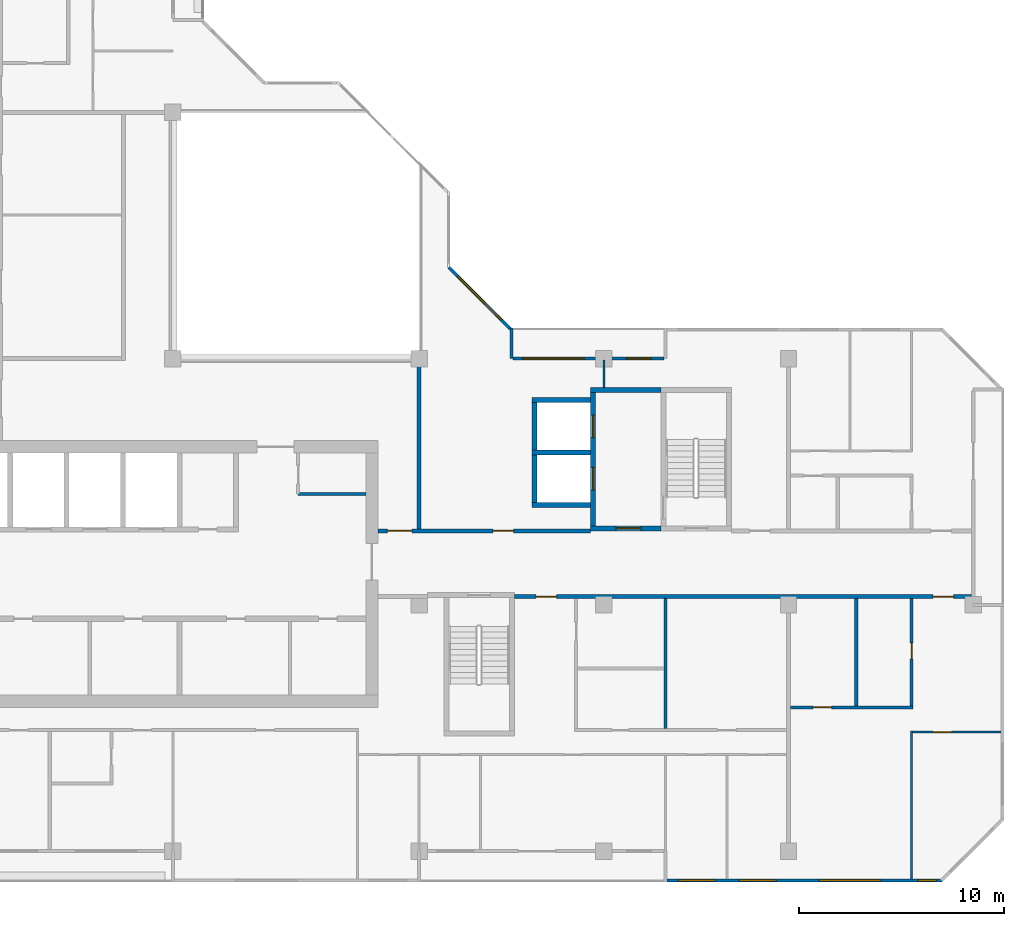
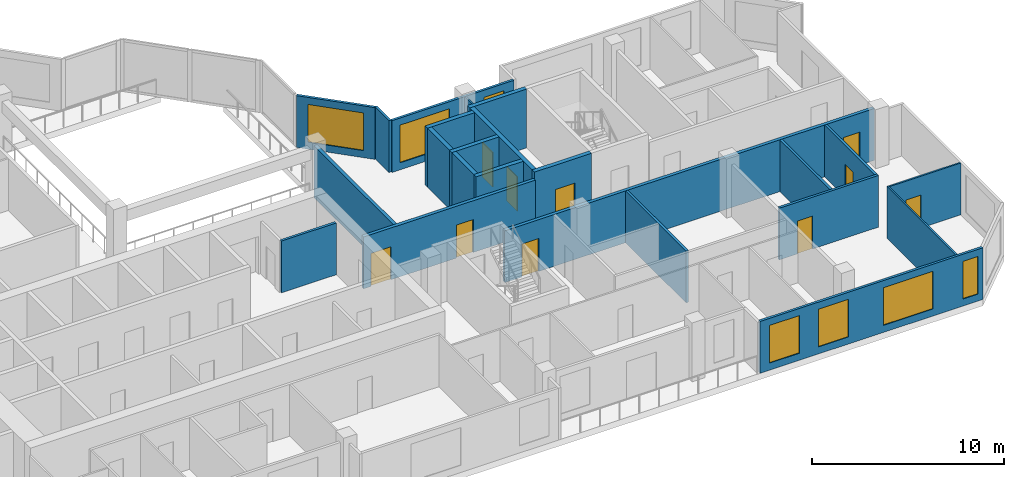
# One storey, part 7 of 13: 23 walls, 10 doors, 7 windows, 17 openings.
"""IFC4 building model written with IfcOpenShell, lengths in metres."""

from ifc_helpers import new_model, si_unit, direction, frame, frame_2d, origin, place, context, subcontext, project, spatial, rectangle, extrude, material, layer, layer_set, type_object, element, fill, save


model = new_model("IFC4")

# Units and contexts
model_context = context("Model", 3, precision=1e-05, world=origin(), true_north=direction((0.0, 1.0)))
body_context = subcontext(model_context, "Body", "Model", "MODEL_VIEW")
ifc_project = project(units=[si_unit("LENGTHUNIT", "METRE"), si_unit("AREAUNIT", "SQUARE_METRE"), si_unit("VOLUMEUNIT", "CUBIC_METRE"), si_unit("PLANEANGLEUNIT", "RADIAN"), si_unit("MASSUNIT", "GRAM", prefix="KILO")], contexts=[model_context])

# Site, building, storey
site_placement = place(None, origin())
site = spatial("IfcSite", under=ifc_project, at=site_placement, CompositionType="ELEMENT")
building_placement = place(site_placement, origin())
building = spatial("IfcBuilding", under=site, at=building_placement, Name="Chenar Terraces", CompositionType="ELEMENT")
storey_placement = place(building_placement, frame((0.0, 0.0, 318.39990234375)))
storey = spatial("IfcBuildingStorey", under=building, at=storey_placement, Name="L75", CompositionType="ELEMENT", Elevation=318.39990234375)

# Wall
ifc_material_1 = material(Name="Gypsum board on steel studs", Category="steel")
ifc_layer_1 = layer(ifc_material_1, 0.14990234375)
ifc_layer_set_1 = layer_set([ifc_layer_1], Name="Gypsum board on steel studs")
wall_type_1 = type_object("IfcWallType", Name="Core partition 150 gypsum board", PredefinedType="PARTITIONING", material=ifc_layer_set_1)
wall_1_placement = place(storey_placement, frame((30.10009765625, 17.39990234375, 0.0), z_axis=(0.0, 0.0, 1.0), x_axis=(1.0, 0.0, 0.0)))
element("IfcWall", 1, at=wall_1_placement, inside=storey, type_object=wall_type_1, Name="Core partition CP1 vestibule room south wall", PredefinedType="PARTITIONING", context=body_context, shape_type="SweptSolid", body=[
    extrude(rectangle(XDim=3.2998046875, YDim=0.14990234375, at=frame_2d((1.64990234375, 0.0))), origin(), (0.0, 0.0, 1.0), 3.300048828125),
])

# Wall, opening, door
ifc_material_2 = material(Name="Concrete C50/60", Category="concrete")
ifc_layer_2 = layer(ifc_material_2, 0.25)
ifc_layer_set_2 = layer_set([ifc_layer_2], Name="Concrete C50/60")
wall_type_2 = type_object("IfcWallType", Name="Core wall 250 Concrete C50/60", PredefinedType="SHEAR", material=ifc_layer_set_2)
wall_2_placement = place(storey_placement, frame((44.35009765625, 15.72509765625, 0.0), z_axis=(0.0, 0.0, 1.0), x_axis=(1.0, 0.0, 0.0)))
wall_2 = element("IfcWall", 2, at=wall_2_placement, inside=storey, type_object=wall_type_2, Name="Core wall F3_LS L75", PredefinedType="SHEAR", context=body_context, shape_type="SweptSolid", body=[
    extrude(rectangle(XDim=3.4248046875, YDim=0.25, at=frame_2d((1.71240234375, 0.0))), origin(), (0.0, 0.0, 1.0), 3.75),
])
opening_1_placement = place(wall_2_placement, frame((1.25, 0.0, 0.0)))
opening_1 = element("IfcOpeningElement", 3, at=opening_1_placement, cuts=wall_2, Name="Opening DL75-C10", PredefinedType="OPENING", context=body_context, shape_type="SweptSolid", body=[
    extrude(rectangle(XDim=1.199951171875, YDim=2.199951171875, at=frame_2d((0.60009765625, 1.10009765625))), frame((0.0, 0.135009765625, 0.0), z_axis=(0.0, -1.0, 0.0), x_axis=(1.0, 0.0, 0.0)), (0.0, 0.0, 1.0), 0.27001953125),
])
ifc_material_3 = material(Name="Steel-framed fire-resisting door leaf", Category="steel")
door_type_1 = type_object("IfcDoorType", Name="Lobby fire door FD60 1200 x 2200", OperationType="SINGLE_SWING_LEFT", PredefinedType="DOOR", material=ifc_material_3)
door_1_placement = place(opening_1_placement, origin())
door_1 = element("IfcDoor", 4, at=door_1_placement, inside=storey, type_object=door_type_1, Name="Core door DL75-C10", OperationType="SINGLE_SWING_RIGHT", OverallHeight=2.199951171875, OverallWidth=1.199951171875, PredefinedType="DOOR", context=body_context, shape_type="SweptSolid", body=[
    extrude(rectangle(XDim=1.199951171875, YDim=2.199951171875, at=frame_2d((0.60009765625, 1.10009765625))), frame((0.0, 0.02490234375, 0.0), z_axis=(0.0, -1.0, 0.0), x_axis=(1.0, 0.0, 0.0)), (0.0, 0.0, 1.0), 0.050048828125),
])
fill(opening_1, door_1)

# Wall
wall_3_placement = place(storey_placement, frame((44.35009765625, 22.47509765625, 0.0), z_axis=(0.0, 0.0, 1.0), x_axis=(1.0, 0.0, 0.0)))
element("IfcWall", 5, at=wall_3_placement, inside=storey, type_object=wall_type_2, Name="Core wall F3_LN L75", PredefinedType="SHEAR", context=body_context, shape_type="SweptSolid", body=[
    extrude(rectangle(XDim=3.4248046875, YDim=0.25, at=frame_2d((1.71240234375, 0.0))), origin(), (0.0, 0.0, 1.0), 3.75),
])

# Wall, openings, doors
wall_4_placement = place(storey_placement, frame((44.47509765625, 15.85009765625, 0.0), z_axis=(0.0, 0.0, 1.0), x_axis=(0.0, 1.0, 0.0)))
wall_4 = element("IfcWall", 6, at=wall_4_placement, inside=storey, type_object=wall_type_2, Name="Core wall F3_LW L75", PredefinedType="SHEAR", context=body_context, shape_type="SweptSolid", body=[
    extrude(rectangle(XDim=6.5, YDim=0.25, at=frame_2d((3.25, 0.0))), origin(), (0.0, 0.0, 1.0), 3.75),
])
opening_2_placement = place(wall_4_placement, frame((1.75, 0.0, 0.0)))
opening_2 = element("IfcOpeningElement", 7, at=opening_2_placement, cuts=wall_4, Name="Opening DL75-LD8", PredefinedType="OPENING", context=body_context, shape_type="SweptSolid", body=[
    extrude(rectangle(XDim=1.10009765625, YDim=2.199951171875, at=frame_2d((0.550048828125, 1.10009765625))), frame((0.0, 0.135009765625, 0.0), z_axis=(0.0, -1.0, 0.0), x_axis=(1.0, 0.0, 0.0)), (0.0, 0.0, 1.0), 0.27001953125),
])
opening_3_placement = place(wall_4_placement, frame((4.300048828125, 0.0, 0.0)))
opening_3 = element("IfcOpeningElement", 8, at=opening_3_placement, cuts=wall_4, Name="Opening DL75-LD9", PredefinedType="OPENING", context=body_context, shape_type="SweptSolid", body=[
    extrude(rectangle(XDim=1.10009765625, YDim=2.199951171875, at=frame_2d((0.550048828125, 1.10009765625))), frame((0.0, 0.135009765625, 0.0), z_axis=(0.0, -1.0, 0.0), x_axis=(1.0, 0.0, 0.0)), (0.0, 0.0, 1.0), 0.27001953125),
])
ifc_material_4 = material(Name="Stainless steel", Category="steel")
door_type_2 = type_object("IfcDoorType", Name="Lift landing door 1100 x 2200 sliding", OperationType="DOUBLE_DOOR_SLIDING", PredefinedType="DOOR", material=ifc_material_4)
door_2_placement = place(opening_2_placement, origin())
door_2 = element("IfcDoor", 9, at=door_2_placement, inside=storey, type_object=door_type_2, Name="Landing door F3", OperationType="DOUBLE_DOOR_SLIDING", OverallHeight=2.199951171875, OverallWidth=1.10009765625, PredefinedType="DOOR", context=body_context, shape_type="SweptSolid", body=[
    extrude(rectangle(XDim=1.10009765625, YDim=2.199951171875, at=frame_2d((0.550048828125, 1.10009765625))), frame((0.0, 0.02490234375, 0.0), z_axis=(0.0, -1.0, 0.0), x_axis=(1.0, 0.0, 0.0)), (0.0, 0.0, 1.0), 0.050048828125),
])
fill(opening_2, door_2)
door_3_placement = place(opening_3_placement, origin())
door_3 = element("IfcDoor", 10, at=door_3_placement, inside=storey, type_object=door_type_2, Name="Landing door F4", OperationType="DOUBLE_DOOR_SLIDING", OverallHeight=2.199951171875, OverallWidth=1.10009765625, PredefinedType="DOOR", context=body_context, shape_type="SweptSolid", body=[
    extrude(rectangle(XDim=1.10009765625, YDim=2.199951171875, at=frame_2d((0.550048828125, 1.10009765625))), frame((0.0, 0.02490234375, 0.0), z_axis=(0.0, -1.0, 0.0), x_axis=(1.0, 0.0, 0.0)), (0.0, 0.0, 1.0), 0.050048828125),
])
fill(opening_3, door_3)

# Walls
for number, where, z_axis, x_axis, name in (
    (11, (41.5, 16.875, 0.0), (0.0, 0.0, 1.0), (1.0, 0.0, 0.0), "Core wall F3_SS L75"),
    (12, (41.5, 19.425048828125, 0.0), (0.0, 0.0, 1.0), (1.0, 0.0, 0.0), "Core wall F3_SM L75"),
    (13, (41.5, 21.97509765625, 0.0), (0.0, 0.0, 1.0), (1.0, 0.0, 0.0), "Core wall F4_SN L75"),
):
    element("IfcWall", number, at=place(storey_placement, frame(where, z_axis=z_axis, x_axis=x_axis)), inside=storey, type_object=wall_type_2, Name=name, PredefinedType="SHEAR", context=body_context, shape_type="SweptSolid", body=[
        extrude(rectangle(XDim=2.85009765625, YDim=0.25, at=frame_2d((1.425048828125, 0.0))), origin(), (0.0, 0.0, 1.0), 3.75),
    ])
for number, where, z_axis, x_axis, name in (
    (14, (41.625, 17.0, 0.0), (0.0, 0.0, 1.0), (0.0, 1.0, 0.0), "Core wall F3_SW L75"),
    (15, (41.625, 19.550048828125, 0.0), (0.0, 0.0, 1.0), (0.0, 1.0, 0.0), "Core wall F4_SW L75"),
):
    element("IfcWall", number, at=place(storey_placement, frame(where, z_axis=z_axis, x_axis=x_axis)), inside=storey, type_object=wall_type_2, Name=name, PredefinedType="SHEAR", context=body_context, shape_type="SweptSolid", body=[
        extrude(rectangle(XDim=2.300048828125, YDim=0.25, at=frame_2d((1.14990234375, 0.0))), origin(), (0.0, 0.0, 1.0), 3.75),
    ])

# Wall, openings, doors
ifc_material_5 = material(Name="Gypsum board on steel studs with fire boards", Category="steel")
ifc_layer_3 = layer(ifc_material_5, 0.199951171875)
ifc_layer_set_3 = layer_set([ifc_layer_3], Name="Gypsum board on steel studs with fire boards")
wall_type_3 = type_object("IfcWallType", Name="Corridor wall 200", PredefinedType="PARTITIONING", material=ifc_layer_set_3)
wall_5_placement = place(storey_placement, frame((34.0, 15.60009765625, 0.0), z_axis=(0.0, 0.0, 1.0), x_axis=(1.0, 0.0, 0.0)))
wall_5 = element("IfcWall", 16, at=wall_5_placement, inside=storey, type_object=wall_type_3, Name="Partition L75-056", PredefinedType="PARTITIONING", context=body_context, shape_type="SweptSolid", body=[
    extrude(rectangle(XDim=10.35009765625, YDim=0.199951171875, at=frame_2d((5.175048828125, 0.0))), origin(), (0.0, 0.0, 1.0), 3.300048828125),
])
opening_4_placement = place(wall_5_placement, frame((5.60009765625, 0.0, 0.0)))
opening_4 = element("IfcOpeningElement", 17, at=opening_4_placement, cuts=wall_5, Name="Opening DL75-3", PredefinedType="OPENING", context=body_context, shape_type="SweptSolid", body=[
    extrude(rectangle(XDim=1.0, YDim=2.10009765625, at=frame_2d((0.5, 1.050048828125))), frame((0.0, 0.10986328125, 0.0), z_axis=(0.0, -1.0, 0.0), x_axis=(1.0, 0.0, 0.0)), (0.0, 0.0, 1.0), 0.219970703125),
])
opening_5_placement = place(wall_5_placement, frame((0.449951171875, 0.0, 0.0)))
opening_5 = element("IfcOpeningElement", 18, at=opening_5_placement, cuts=wall_5, Name="Opening DL75-29", PredefinedType="OPENING", context=body_context, shape_type="SweptSolid", body=[
    extrude(rectangle(XDim=1.199951171875, YDim=2.10009765625, at=frame_2d((0.60009765625, 1.050048828125))), frame((0.0, 0.10986328125, 0.0), z_axis=(0.0, -1.0, 0.0), x_axis=(1.0, 0.0, 0.0)), (0.0, 0.0, 1.0), 0.219970703125),
])
ifc_material_6 = material(Name="Steel-framed fire-resisting door leaf", Category="steel")
door_type_3 = type_object("IfcDoorType", Name="Fire door FD60 1000 x 2100", OperationType="SINGLE_SWING_LEFT", PredefinedType="DOOR", material=ifc_material_6)
door_4_placement = place(opening_4_placement, origin())
door_4 = element("IfcDoor", 19, at=door_4_placement, inside=storey, type_object=door_type_3, Name="Door DL75-3", OperationType="SINGLE_SWING_RIGHT", OverallHeight=2.10009765625, OverallWidth=1.0, PredefinedType="DOOR", context=body_context, shape_type="SweptSolid", body=[
    extrude(rectangle(XDim=1.0, YDim=2.10009765625, at=frame_2d((0.5, 1.050048828125))), frame((0.0, 0.02490234375, 0.0), z_axis=(0.0, -1.0, 0.0), x_axis=(1.0, 0.0, 0.0)), (0.0, 0.0, 1.0), 0.050048828125),
])
fill(opening_4, door_4)
ifc_material_7 = material(Name="Steel-framed fire-resisting door leaf", Category="steel")
door_type_4 = type_object("IfcDoorType", Name="Fire door FD60 1200 x 2100", OperationType="SINGLE_SWING_LEFT", PredefinedType="DOOR", material=ifc_material_7)
door_5_placement = place(opening_5_placement, origin())
door_5 = element("IfcDoor", 20, at=door_5_placement, inside=storey, type_object=door_type_4, Name="Door DL75-29", OperationType="SINGLE_SWING_RIGHT", OverallHeight=2.10009765625, OverallWidth=1.199951171875, PredefinedType="DOOR", context=body_context, shape_type="SweptSolid", body=[
    extrude(rectangle(XDim=1.199951171875, YDim=2.10009765625, at=frame_2d((0.60009765625, 1.050048828125))), frame((0.0, 0.02490234375, 0.0), z_axis=(0.0, -1.0, 0.0), x_axis=(1.0, 0.0, 0.0)), (0.0, 0.0, 1.0), 0.050048828125),
])
fill(opening_5, door_5)

# Wall
wall_6_placement = place(storey_placement, frame((36.0, 15.699951171875, 0.0), z_axis=(0.0, 0.0, 1.0), x_axis=(0.0, 1.0, 0.0)))
element("IfcWall", 21, at=wall_6_placement, inside=storey, type_object=wall_type_3, Name="Partition L75-058", PredefinedType="PARTITIONING", context=body_context, shape_type="SweptSolid", body=[
    extrude(rectangle(XDim=8.300048828125, YDim=0.199951171875, at=frame_2d((4.14990234375, 0.0))), origin(), (0.0, 0.0, 1.0), 3.300048828125),
])

# Wall, openings, doors
wall_7_placement = place(storey_placement, frame((40.64990234375, 12.39990234375, 0.0), z_axis=(0.0, 0.0, 1.0), x_axis=(1.0, 0.0, 0.0)))
wall_7 = element("IfcWall", 22, at=wall_7_placement, inside=storey, type_object=wall_type_3, Name="Partition L75-060", PredefinedType="PARTITIONING", context=body_context, shape_type="SweptSolid", body=[
    extrude(rectangle(XDim=22.276123046875, YDim=0.199951171875, at=frame_2d((11.13818359375, 0.0))), origin(), (0.0, 0.0, 1.0), 3.300048828125),
])
opening_6_placement = place(wall_7_placement, frame((20.39990234375, 0.0, 0.0)))
opening_6 = element("IfcOpeningElement", 23, at=opening_6_placement, cuts=wall_7, Name="Opening DL75-12", PredefinedType="OPENING", context=body_context, shape_type="SweptSolid", body=[
    extrude(rectangle(XDim=1.0, YDim=2.10009765625, at=frame_2d((0.5, 1.050048828125))), frame((0.0, 0.10986328125, 0.0), z_axis=(0.0, -1.0, 0.0), x_axis=(1.0, 0.0, 0.0)), (0.0, 0.0, 1.0), 0.219970703125),
])
opening_7_placement = place(wall_7_placement, frame((1.050048828125, 0.0, 0.0)))
opening_7 = element("IfcOpeningElement", 24, at=opening_7_placement, cuts=wall_7, Name="Opening DL75-45", PredefinedType="OPENING", context=body_context, shape_type="SweptSolid", body=[
    extrude(rectangle(XDim=1.0, YDim=2.10009765625, at=frame_2d((0.5, 1.050048828125))), frame((0.0, 0.10986328125, 0.0), z_axis=(0.0, -1.0, 0.0), x_axis=(1.0, 0.0, 0.0)), (0.0, 0.0, 1.0), 0.219970703125),
])
ifc_material_8 = material(Name="Steel-framed fire-resisting door leaf", Category="steel")
door_type_5 = type_object("IfcDoorType", Name="Fire door FD30S 1000 x 2100", OperationType="SINGLE_SWING_LEFT", PredefinedType="DOOR", material=ifc_material_8)
door_6_placement = place(opening_6_placement, frame((1.0, 0.0, 0.0), z_axis=(0.0, 0.0, 1.0), x_axis=(-1.0, 0.0, 0.0)))
door_6 = element("IfcDoor", 25, at=door_6_placement, inside=storey, type_object=door_type_5, Name="Door DL75-12", OperationType="SINGLE_SWING_LEFT", OverallHeight=2.10009765625, OverallWidth=1.0, PredefinedType="DOOR", context=body_context, shape_type="SweptSolid", body=[
    extrude(rectangle(XDim=1.0, YDim=2.10009765625, at=frame_2d((0.5, 1.050048828125))), frame((0.0, 0.02490234375, 0.0), z_axis=(0.0, -1.0, 0.0), x_axis=(1.0, 0.0, 0.0)), (0.0, 0.0, 1.0), 0.050048828125),
])
fill(opening_6, door_6)
door_7_placement = place(opening_7_placement, origin())
door_7 = element("IfcDoor", 26, at=door_7_placement, inside=storey, type_object=door_type_5, Name="Door DL75-45", OperationType="SINGLE_SWING_LEFT", OverallHeight=2.10009765625, OverallWidth=1.0, PredefinedType="DOOR", context=body_context, shape_type="SweptSolid", body=[
    extrude(rectangle(XDim=1.0, YDim=2.10009765625, at=frame_2d((0.5, 1.050048828125))), frame((0.0, 0.02490234375, 0.0), z_axis=(0.0, -1.0, 0.0), x_axis=(1.0, 0.0, 0.0)), (0.0, 0.0, 1.0), 0.050048828125),
])
fill(opening_7, door_7)

# Wall, openings, windows
ifc_material_9 = material(Name="Aluminium framed glazing", Category="aluminium")
ifc_layer_4 = layer(ifc_material_9, 0.14990234375)
ifc_layer_set_4 = layer_set([ifc_layer_4], Name="Aluminium framed glazing")
wall_type_4 = type_object("IfcWallType", Name="Glazed flush facade wall 150", PredefinedType="SOLIDWALL", material=ifc_layer_set_4)
wall_8_placement = place(storey_placement, frame((48.074951171875, -1.425048828125, 0.0), z_axis=(0.0, 0.0, 1.0), x_axis=(1.0, 0.0, 0.0)))
wall_8 = element("IfcWall", 27, at=wall_8_placement, inside=storey, type_object=wall_type_4, Name="Glazed flush facade wall", PredefinedType="SOLIDWALL", context=body_context, shape_type="SweptSolid", body=[
    extrude(rectangle(XDim=13.425048828125, YDim=0.14990234375, at=frame_2d((6.71240234375, 0.0))), origin(), (0.0, 0.0, 1.0), 3.300048828125),
])
opening_8_placement = place(wall_8_placement, frame((0.5625, 0.0, 0.449951171875)))
opening_8 = element("IfcOpeningElement", 28, at=opening_8_placement, cuts=wall_8, Name="Opening W180x240", PredefinedType="OPENING", context=body_context, shape_type="SweptSolid", body=[
    extrude(rectangle(XDim=1.800048828125, YDim=2.39990234375, at=frame_2d((0.89990234375, 1.199951171875))), frame((0.0, 0.0849609375, 0.0), z_axis=(0.0, -1.0, 0.0), x_axis=(1.0, 0.0, 0.0)), (0.0, 0.0, 1.0), 0.169921875),
])
opening_9_placement = place(wall_8_placement, frame((3.52490234375, 0.0, 0.449951171875)))
opening_9 = element("IfcOpeningElement", 29, at=opening_9_placement, cuts=wall_8, Name="Opening W180x240", PredefinedType="OPENING", context=body_context, shape_type="SweptSolid", body=[
    extrude(rectangle(XDim=1.800048828125, YDim=2.39990234375, at=frame_2d((0.89990234375, 1.199951171875))), frame((0.0, 0.0849609375, 0.0), z_axis=(0.0, -1.0, 0.0), x_axis=(1.0, 0.0, 0.0)), (0.0, 0.0, 1.0), 0.169921875),
])
opening_10_placement = place(wall_8_placement, frame((7.425048828125, 0.0, 0.449951171875)))
opening_10 = element("IfcOpeningElement", 30, at=opening_10_placement, cuts=wall_8, Name="Opening W300x240", PredefinedType="OPENING", context=body_context, shape_type="SweptSolid", body=[
    extrude(rectangle(XDim=3.0, YDim=2.39990234375, at=frame_2d((1.5, 1.199951171875))), frame((0.0, 0.0849609375, 0.0), z_axis=(0.0, -1.0, 0.0), x_axis=(1.0, 0.0, 0.0)), (0.0, 0.0, 1.0), 0.169921875),
])
opening_11_placement = place(wall_8_placement, frame((12.22509765625, 0.0, 0.449951171875)))
opening_11 = element("IfcOpeningElement", 31, at=opening_11_placement, cuts=wall_8, Name="Opening W90x240", PredefinedType="OPENING", context=body_context, shape_type="SweptSolid", body=[
    extrude(rectangle(XDim=0.89990234375, YDim=2.39990234375, at=frame_2d((0.449951171875, 1.199951171875))), frame((0.0, 0.0849609375, 0.0), z_axis=(0.0, -1.0, 0.0), x_axis=(1.0, 0.0, 0.0)), (0.0, 0.0, 1.0), 0.169921875),
])
ifc_material_10 = material(Name="Low emissivity double glazing, aluminium frame", Category="aluminium")
window_type_1 = type_object("IfcWindowType", Name="Fixed light 1800 x 2400", PartitioningType="SINGLE_PANEL", PredefinedType="WINDOW", material=ifc_material_10)
window_1_placement = place(opening_8_placement, origin())
window_1 = element("IfcWindow", 32, at=window_1_placement, inside=storey, type_object=window_type_1, Name="Window", OverallHeight=2.39990234375, OverallWidth=1.800048828125, PartitioningType="SINGLE_PANEL", PredefinedType="WINDOW", context=body_context, shape_type="SweptSolid", body=[
    extrude(rectangle(XDim=1.800048828125, YDim=2.39990234375, at=frame_2d((0.89990234375, 1.199951171875))), frame((0.0, 0.030029296875, 0.0), z_axis=(0.0, -1.0, 0.0), x_axis=(1.0, 0.0, 0.0)), (0.0, 0.0, 1.0), 0.06005859375),
])
fill(opening_8, window_1)
window_2_placement = place(opening_9_placement, origin())
window_2 = element("IfcWindow", 33, at=window_2_placement, inside=storey, type_object=window_type_1, Name="Window", OverallHeight=2.39990234375, OverallWidth=1.800048828125, PartitioningType="SINGLE_PANEL", PredefinedType="WINDOW", context=body_context, shape_type="SweptSolid", body=[
    extrude(rectangle(XDim=1.800048828125, YDim=2.39990234375, at=frame_2d((0.89990234375, 1.199951171875))), frame((0.0, 0.030029296875, 0.0), z_axis=(0.0, -1.0, 0.0), x_axis=(1.0, 0.0, 0.0)), (0.0, 0.0, 1.0), 0.06005859375),
])
fill(opening_9, window_2)
ifc_material_11 = material(Name="Low emissivity double glazing, aluminium frame", Category="aluminium")
window_type_2 = type_object("IfcWindowType", Name="Fixed light 3000 x 2400", PartitioningType="SINGLE_PANEL", PredefinedType="WINDOW", material=ifc_material_11)
window_3_placement = place(opening_10_placement, origin())
window_3 = element("IfcWindow", 34, at=window_3_placement, inside=storey, type_object=window_type_2, Name="Window", OverallHeight=2.39990234375, OverallWidth=3.0, PartitioningType="SINGLE_PANEL", PredefinedType="WINDOW", context=body_context, shape_type="SweptSolid", body=[
    extrude(rectangle(XDim=3.0, YDim=2.39990234375, at=frame_2d((1.5, 1.199951171875))), frame((0.0, 0.030029296875, 0.0), z_axis=(0.0, -1.0, 0.0), x_axis=(1.0, 0.0, 0.0)), (0.0, 0.0, 1.0), 0.06005859375),
])
fill(opening_10, window_3)
ifc_material_12 = material(Name="Low emissivity double glazing, aluminium frame", Category="aluminium")
window_type_3 = type_object("IfcWindowType", Name="Fixed light 900 x 2400", PartitioningType="SINGLE_PANEL", PredefinedType="WINDOW", material=ifc_material_12)
window_4_placement = place(opening_11_placement, origin())
window_4 = element("IfcWindow", 35, at=window_4_placement, inside=storey, type_object=window_type_3, Name="Window", OverallHeight=2.39990234375, OverallWidth=0.89990234375, PartitioningType="SINGLE_PANEL", PredefinedType="WINDOW", context=body_context, shape_type="SweptSolid", body=[
    extrude(rectangle(XDim=0.89990234375, YDim=2.39990234375, at=frame_2d((0.449951171875, 1.199951171875))), frame((0.0, 0.030029296875, 0.0), z_axis=(0.0, -1.0, 0.0), x_axis=(1.0, 0.0, 0.0)), (0.0, 0.0, 1.0), 0.06005859375),
])
fill(opening_11, window_4)

ifc_material_13 = material(Name="Aluminium framed glazing", Category="aluminium")
ifc_layer_5 = layer(ifc_material_13, 0.14990234375)
ifc_layer_set_5 = layer_set([ifc_layer_5], Name="Aluminium framed glazing")
wall_type_5 = type_object("IfcWallType", Name="Glazed loggia back wall 150", PredefinedType="SOLIDWALL", material=ifc_layer_set_5)
wall_9_placement = place(storey_placement, frame((47.925048828125, 24.0, 0.0), z_axis=(0.0, 0.0, 1.0), x_axis=(-1.0, 0.0, 0.0)))
wall_9 = element("IfcWall", 36, at=wall_9_placement, inside=storey, type_object=wall_type_5, Name="Glazed loggia back wall", PredefinedType="SOLIDWALL", context=body_context, shape_type="SweptSolid", body=[
    extrude(rectangle(XDim=7.35009765625, YDim=0.14990234375, at=frame_2d((3.675048828125, 0.0))), origin(), (0.0, 0.0, 1.0), 3.300048828125),
])
opening_12_placement = place(wall_9_placement, frame((0.612548828125, 0.0, 0.449951171875)))
opening_12 = element("IfcOpeningElement", 37, at=opening_12_placement, cuts=wall_9, Name="Opening W120x240", PredefinedType="OPENING", context=body_context, shape_type="SweptSolid", body=[
    extrude(rectangle(XDim=1.199951171875, YDim=2.39990234375, at=frame_2d((0.60009765625, 1.199951171875))), frame((0.0, 0.0849609375, 0.0), z_axis=(0.0, -1.0, 0.0), x_axis=(1.0, 0.0, 0.0)), (0.0, 0.0, 1.0), 0.169921875),
])
opening_13_placement = place(wall_9_placement, frame((3.887451171875, 0.0, 0.449951171875)))
opening_13 = element("IfcOpeningElement", 38, at=opening_13_placement, cuts=wall_9, Name="Opening W300x240", PredefinedType="OPENING", context=body_context, shape_type="SweptSolid", body=[
    extrude(rectangle(XDim=3.0, YDim=2.39990234375, at=frame_2d((1.5, 1.199951171875))), frame((0.0, 0.0849609375, 0.0), z_axis=(0.0, -1.0, 0.0), x_axis=(1.0, 0.0, 0.0)), (0.0, 0.0, 1.0), 0.169921875),
])
ifc_material_14 = material(Name="Low emissivity double glazing, aluminium frame", Category="aluminium")
window_type_4 = type_object("IfcWindowType", Name="Fixed light 1200 x 2400", PartitioningType="SINGLE_PANEL", PredefinedType="WINDOW", material=ifc_material_14)
window_5_placement = place(opening_12_placement, origin())
window_5 = element("IfcWindow", 39, at=window_5_placement, inside=storey, type_object=window_type_4, Name="Window", OverallHeight=2.39990234375, OverallWidth=1.199951171875, PartitioningType="SINGLE_PANEL", PredefinedType="WINDOW", context=body_context, shape_type="SweptSolid", body=[
    extrude(rectangle(XDim=1.199951171875, YDim=2.39990234375, at=frame_2d((0.60009765625, 1.199951171875))), frame((0.0, 0.030029296875, 0.0), z_axis=(0.0, -1.0, 0.0), x_axis=(1.0, 0.0, 0.0)), (0.0, 0.0, 1.0), 0.06005859375),
])
fill(opening_12, window_5)
window_6_placement = place(opening_13_placement, origin())
window_6 = element("IfcWindow", 40, at=window_6_placement, inside=storey, type_object=window_type_2, Name="Window", OverallHeight=2.39990234375, OverallWidth=3.0, PartitioningType="SINGLE_PANEL", PredefinedType="WINDOW", context=body_context, shape_type="SweptSolid", body=[
    extrude(rectangle(XDim=3.0, YDim=2.39990234375, at=frame_2d((1.5, 1.199951171875))), frame((0.0, 0.030029296875, 0.0), z_axis=(0.0, -1.0, 0.0), x_axis=(1.0, 0.0, 0.0)), (0.0, 0.0, 1.0), 0.06005859375),
])
fill(opening_13, window_6)

# Walls
ifc_material_15 = material(Name="Gypsum board on steel studs", Category="steel")
ifc_layer_6 = layer(ifc_material_15, 0.10009765625)
ifc_layer_set_6 = layer_set([ifc_layer_6], Name="Gypsum board on steel studs")
wall_type_6 = type_object("IfcWallType", Name="Gypsum partition 100", PredefinedType="PARTITIONING", material=ifc_layer_set_6)
wall_10_placement = place(storey_placement, frame((45.0, 22.60009765625, 0.0), z_axis=(0.0, 0.0, 1.0), x_axis=(0.0, 1.0, 0.0)))
element("IfcWall", 41, at=wall_10_placement, inside=storey, type_object=wall_type_6, Name="Partition L75-064", PredefinedType="PARTITIONING", context=body_context, shape_type="SweptSolid", body=[
    extrude(rectangle(XDim=1.325927734375, YDim=0.10009765625, at=frame_2d((0.6630859375, 0.0))), origin(), (0.0, 0.0, 1.0), 3.300048828125),
])
wall_11_placement = place(storey_placement, frame((60.0, -1.35009765625, 0.0), z_axis=(0.0, 0.0, 1.0), x_axis=(0.0, 1.0, 0.0)))
element("IfcWall", 42, at=wall_11_placement, inside=storey, type_object=wall_type_6, Name="Partition L75-077", PredefinedType="PARTITIONING", context=body_context, shape_type="SweptSolid", body=[
    extrude(rectangle(XDim=7.2001953125, YDim=0.10009765625, at=frame_2d((3.60009765625, 0.0))), origin(), (0.0, 0.0, 1.0), 3.300048828125),
])

# Wall, opening, door
wall_12_placement = place(storey_placement, frame((60.050048828125, 5.800048828125, 0.0), z_axis=(0.0, 0.0, 1.0), x_axis=(1.0, 0.0, 0.0)))
wall_12 = element("IfcWall", 43, at=wall_12_placement, inside=storey, type_object=wall_type_6, Name="Partition L75-081", PredefinedType="PARTITIONING", context=body_context, shape_type="SweptSolid", body=[
    extrude(rectangle(XDim=4.300048828125, YDim=0.10009765625, at=frame_2d((2.14990234375, 0.0))), origin(), (0.0, 0.0, 1.0), 3.300048828125),
])
opening_14_placement = place(wall_12_placement, frame((1.0, 0.0, 0.0)))
opening_14 = element("IfcOpeningElement", 44, at=opening_14_placement, cuts=wall_12, Name="Opening DL75-10", PredefinedType="OPENING", context=body_context, shape_type="SweptSolid", body=[
    extrude(rectangle(XDim=0.89990234375, YDim=2.10009765625, at=frame_2d((0.449951171875, 1.050048828125))), frame((0.0, 0.06005859375, 0.0), z_axis=(0.0, -1.0, 0.0), x_axis=(1.0, 0.0, 0.0)), (0.0, 0.0, 1.0), 0.1201171875),
])
ifc_material_16 = material(Name="Veneered timber door leaf", Category="wood")
door_type_6 = type_object("IfcDoorType", Name="Door 900 x 2100", OperationType="SINGLE_SWING_LEFT", PredefinedType="DOOR", material=ifc_material_16)
door_8_placement = place(opening_14_placement, frame((0.89990234375, 0.0, 0.0), z_axis=(0.0, 0.0, 1.0), x_axis=(-1.0, 0.0, 0.0)))
door_8 = element("IfcDoor", 45, at=door_8_placement, inside=storey, type_object=door_type_6, Name="Door DL75-10", OperationType="SINGLE_SWING_RIGHT", OverallHeight=2.10009765625, OverallWidth=0.89990234375, PredefinedType="DOOR", context=body_context, shape_type="SweptSolid", body=[
    extrude(rectangle(XDim=0.89990234375, YDim=2.10009765625, at=frame_2d((0.449951171875, 1.050048828125))), frame((0.0, 0.02490234375, 0.0), z_axis=(0.0, -1.0, 0.0), x_axis=(1.0, 0.0, 0.0)), (0.0, 0.0, 1.0), 0.050048828125),
])
fill(opening_14, door_8)

# Wall
ifc_material_17 = material(Name="Terracotta cladding on insulated backing", Category="masonry")
ifc_layer_7 = layer(ifc_material_17, 0.14990234375)
ifc_layer_set_7 = layer_set([ifc_layer_7], Name="Terracotta cladding on insulated backing")
wall_type_7 = type_object("IfcWallType", Name="Loggia return wall 150", PredefinedType="SOLIDWALL", material=ifc_layer_set_7)
wall_13_placement = place(storey_placement, frame((40.5, 25.5, 0.0), z_axis=(0.0, 0.0, 1.0), x_axis=(0.0, -1.0, 0.0)))
element("IfcWall", 46, at=wall_13_placement, inside=storey, type_object=wall_type_7, Name="Loggia return wall", PredefinedType="SOLIDWALL", context=body_context, shape_type="SweptSolid", body=[
    extrude(rectangle(XDim=1.5, YDim=0.14990234375, at=frame_2d((0.75, 0.0))), origin(), (0.0, 0.0, 1.0), 3.300048828125),
])

# Wall, opening, window
ifc_material_18 = material(Name="Terracotta cladding on insulated backing", Category="masonry")
ifc_layer_8 = layer(ifc_material_18, 0.14990234375)
ifc_layer_set_8 = layer_set([ifc_layer_8], Name="Terracotta cladding on insulated backing")
wall_type_8 = type_object("IfcWallType", Name="Terracotta rainscreen wall 150", PredefinedType="SOLIDWALL", material=ifc_layer_set_8)
wall_14_placement = place(storey_placement, frame((40.447021484375, 25.447021484375, 0.0), z_axis=(0.0, 0.0, 1.0), x_axis=(-0.707106781187, 0.707106781187, 0.0)))
wall_14 = element("IfcWall", 47, at=wall_14_placement, inside=storey, type_object=wall_type_8, Name="Terracotta rainscreen wall", PredefinedType="SOLIDWALL", context=body_context, shape_type="SweptSolid", body=[
    extrude(rectangle(XDim=4.24267578125, YDim=0.14990234375, at=frame_2d((2.121337890625, 0.0))), origin(), (0.0, 0.0, 1.0), 3.300048828125),
])
opening_15_placement = place(wall_14_placement, frame((0.621337890625, 0.0, 0.449951171875)))
opening_15 = element("IfcOpeningElement", 48, at=opening_15_placement, cuts=wall_14, Name="Opening W300x240", PredefinedType="OPENING", context=body_context, shape_type="SweptSolid", body=[
    extrude(rectangle(XDim=3.0, YDim=2.39990234375, at=frame_2d((1.5, 1.199951171875))), frame((0.0, 0.0849609375, 0.0), z_axis=(0.0, -1.0, 0.0), x_axis=(1.0, 0.0, 0.0)), (0.0, 0.0, 1.0), 0.169921875),
])
window_7_placement = place(opening_15_placement, origin())
window_7 = element("IfcWindow", 49, at=window_7_placement, inside=storey, type_object=window_type_2, Name="Window", OverallHeight=2.39990234375, OverallWidth=3.0, PartitioningType="SINGLE_PANEL", PredefinedType="WINDOW", context=body_context, shape_type="SweptSolid", body=[
    extrude(rectangle(XDim=3.0, YDim=2.39990234375, at=frame_2d((1.5, 1.199951171875))), frame((0.0, 0.030029296875, 0.0), z_axis=(0.0, -1.0, 0.0), x_axis=(1.0, 0.0, 0.0)), (0.0, 0.0, 1.0), 0.06005859375),
])
fill(opening_15, window_7)

# Wall
ifc_material_19 = material(Name="Moisture-resistant gypsum board on steel studs", Category="steel")
ifc_layer_9 = layer(ifc_material_19, 0.14990234375)
ifc_layer_set_9 = layer_set([ifc_layer_9], Name="Moisture-resistant gypsum board on steel studs")
wall_type_9 = type_object("IfcWallType", Name="Wet-room partition 150", PredefinedType="PARTITIONING", material=ifc_layer_set_9)
wall_15_placement = place(storey_placement, frame((48.0, 5.97509765625, 0.0), z_axis=(0.0, 0.0, 1.0), x_axis=(0.0, 1.0, 0.0)))
element("IfcWall", 50, at=wall_15_placement, inside=storey, type_object=wall_type_9, Name="Partition L75-066", PredefinedType="PARTITIONING", context=body_context, shape_type="SweptSolid", body=[
    extrude(rectangle(XDim=6.324951171875, YDim=0.14990234375, at=frame_2d((3.16259765625, 0.0))), origin(), (0.0, 0.0, 1.0), 3.300048828125),
])

# Wall, opening, door
wall_16_placement = place(storey_placement, frame((54.10009765625, 7.0, 0.0), z_axis=(0.0, 0.0, 1.0), x_axis=(1.0, 0.0, 0.0)))
wall_16 = element("IfcWall", 51, at=wall_16_placement, inside=storey, type_object=wall_type_9, Name="Partition L75-071", PredefinedType="PARTITIONING", context=body_context, shape_type="SweptSolid", body=[
    extrude(rectangle(XDim=5.974853515625, YDim=0.14990234375, at=frame_2d((2.9873046875, 0.0))), origin(), (0.0, 0.0, 1.0), 3.300048828125),
])
opening_16_placement = place(wall_16_placement, frame((1.10009765625, 0.0, 0.0)))
opening_16 = element("IfcOpeningElement", 52, at=opening_16_placement, cuts=wall_16, Name="Opening DL75-11", PredefinedType="OPENING", context=body_context, shape_type="SweptSolid", body=[
    extrude(rectangle(XDim=0.89990234375, YDim=2.10009765625, at=frame_2d((0.449951171875, 1.050048828125))), frame((0.0, 0.0849609375, 0.0), z_axis=(0.0, -1.0, 0.0), x_axis=(1.0, 0.0, 0.0)), (0.0, 0.0, 1.0), 0.169921875),
])
door_9_placement = place(opening_16_placement, origin())
door_9 = element("IfcDoor", 53, at=door_9_placement, inside=storey, type_object=door_type_6, Name="Door DL75-11", OperationType="SINGLE_SWING_LEFT", OverallHeight=2.10009765625, OverallWidth=0.89990234375, PredefinedType="DOOR", context=body_context, shape_type="SweptSolid", body=[
    extrude(rectangle(XDim=0.89990234375, YDim=2.10009765625, at=frame_2d((0.449951171875, 1.050048828125))), frame((0.0, 0.02490234375, 0.0), z_axis=(0.0, -1.0, 0.0), x_axis=(1.0, 0.0, 0.0)), (0.0, 0.0, 1.0), 0.050048828125),
])
fill(opening_16, door_9)

# Wall
wall_17_placement = place(storey_placement, frame((57.300048828125, 7.074951171875, 0.0), z_axis=(0.0, 0.0, 1.0), x_axis=(0.0, 1.0, 0.0)))
element("IfcWall", 54, at=wall_17_placement, inside=storey, type_object=wall_type_9, Name="Partition L75-076", PredefinedType="PARTITIONING", context=body_context, shape_type="SweptSolid", body=[
    extrude(rectangle(XDim=5.22509765625, YDim=0.14990234375, at=frame_2d((2.612548828125, 0.0))), origin(), (0.0, 0.0, 1.0), 3.300048828125),
])

# Wall, opening, door
wall_18_placement = place(storey_placement, frame((60.0, 7.074951171875, 0.0), z_axis=(0.0, 0.0, 1.0), x_axis=(0.0, 1.0, 0.0)))
wall_18 = element("IfcWall", 55, at=wall_18_placement, inside=storey, type_object=wall_type_9, Name="Partition L75-078", PredefinedType="PARTITIONING", context=body_context, shape_type="SweptSolid", body=[
    extrude(rectangle(XDim=5.22509765625, YDim=0.14990234375, at=frame_2d((2.612548828125, 0.0))), origin(), (0.0, 0.0, 1.0), 3.300048828125),
])
opening_17_placement = place(wall_18_placement, frame((2.27490234375, 0.0, 0.0)))
opening_17 = element("IfcOpeningElement", 56, at=opening_17_placement, cuts=wall_18, Name="Opening DL75-9", PredefinedType="OPENING", context=body_context, shape_type="SweptSolid", body=[
    extrude(rectangle(XDim=0.800048828125, YDim=2.10009765625, at=frame_2d((0.39990234375, 1.050048828125))), frame((0.0, 0.0849609375, 0.0), z_axis=(0.0, -1.0, 0.0), x_axis=(1.0, 0.0, 0.0)), (0.0, 0.0, 1.0), 0.169921875),
])
ifc_material_20 = material(Name="Veneered timber door leaf", Category="wood")
door_type_7 = type_object("IfcDoorType", Name="Door 800 x 2100", OperationType="SINGLE_SWING_LEFT", PredefinedType="DOOR", material=ifc_material_20)
door_10_placement = place(opening_17_placement, origin())
door_10 = element("IfcDoor", 57, at=door_10_placement, inside=storey, type_object=door_type_7, Name="Door DL75-9", OperationType="SINGLE_SWING_LEFT", OverallHeight=2.10009765625, OverallWidth=0.800048828125, PredefinedType="DOOR", context=body_context, shape_type="SweptSolid", body=[
    extrude(rectangle(XDim=0.800048828125, YDim=2.10009765625, at=frame_2d((0.39990234375, 1.050048828125))), frame((0.0, 0.02490234375, 0.0), z_axis=(0.0, -1.0, 0.0), x_axis=(1.0, 0.0, 0.0)), (0.0, 0.0, 1.0), 0.050048828125),
])
fill(opening_17, door_10)

save(model, "model.ifc")
